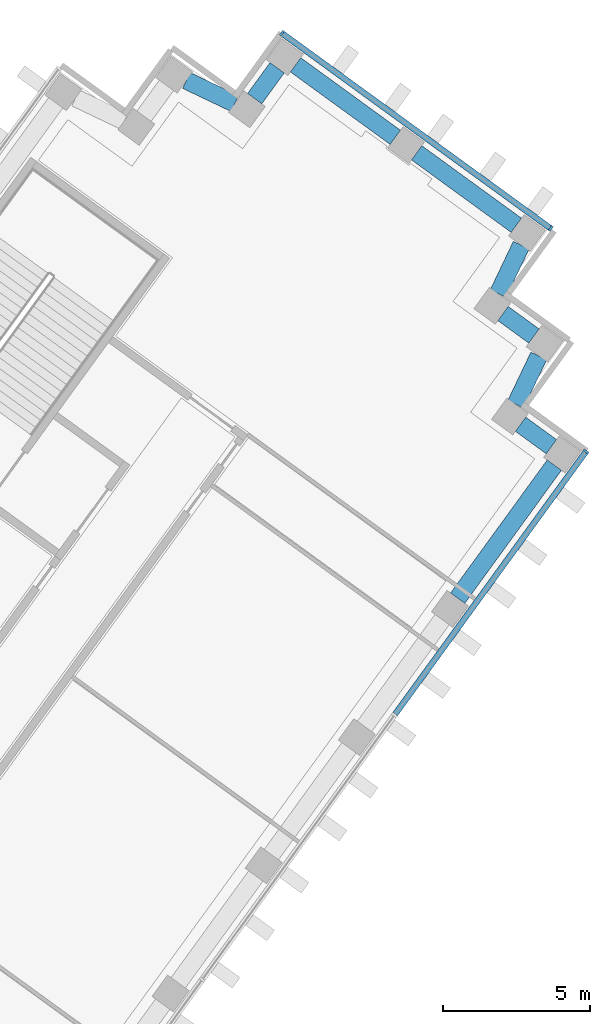
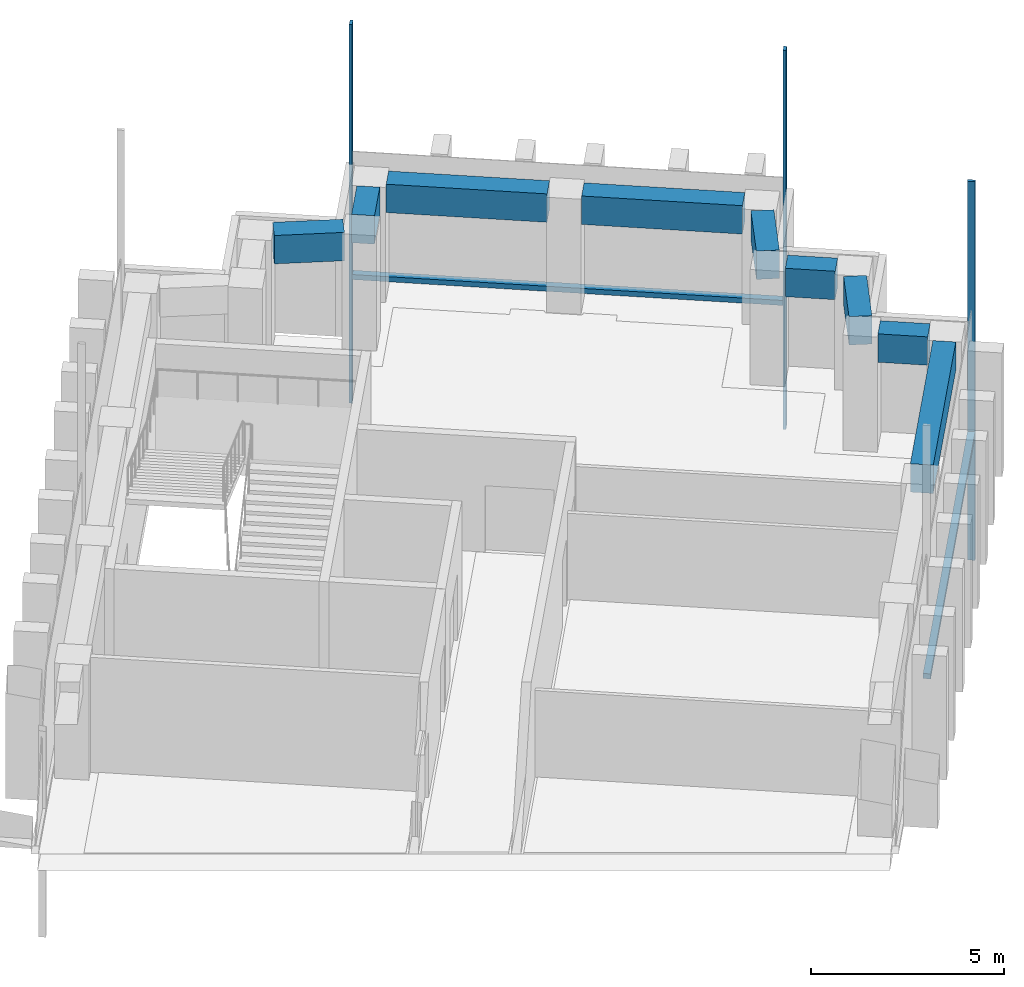
# One storey, part 7 of 18: 9 beams, 5 members, 2 elements without a shape of their own.
"""IFC4 building model written with IfcOpenShell, lengths in metres."""

import ifcopenshell
import ifcopenshell.guid

model = None  # the IFC model being written
_history = None  # IfcOwnerHistory: only IFC2X3 demands one
_inside = {}  # id of a spatial element -> (the spatial element, [elements in it])
_under = {}  # id of a project, library or spatial element -> (it, [spatial elements below it])
_declared = {}  # id of a project -> (the project, [libraries it declares])
_typed = {}  # id of a type object -> (the type object, [elements of that type])
_made_of = {}  # id of a material, layer set ... -> (it, [elements and type objects made of it])


def new_model(schema):
    """Start an empty IFC model of exactly this schema.

    Asked for "IFC4X3", IfcOpenShell would pick the latest addendum, in which some entities
    have other attributes; the version numbers below select the first issue.
    IFC2X3 requires an IfcOwnerHistory on every rooted entity: one is made here for all.
    """
    global model, _history
    if schema == "IFC4X3":
        model = ifcopenshell.file(schema_version=(4, 3, 0, 0))
    else:
        model = ifcopenshell.file(schema=schema)
    _inside.clear()
    _under.clear()
    _declared.clear()
    _typed.clear()
    _made_of.clear()
    _history = None
    if model.schema == "IFC2X3":
        org = make("IfcOrganization", Name="unknown")
        user = make(
            "IfcPersonAndOrganization",
            ThePerson=make("IfcPerson", FamilyName="unknown"),
            TheOrganization=org,
        )
        app = make(
            "IfcApplication",
            ApplicationDeveloper=org,
            Version="unknown",
            ApplicationFullName="unknown",
            ApplicationIdentifier="unknown",
        )
        _history = make(
            "IfcOwnerHistory",
            OwningUser=user,
            OwningApplication=app,
            ChangeAction="ADDED",
            CreationDate=0,
        )
    return model


def make(cls, **values):
    """One entity of the class cls with the attributes given. An attribute that is None is left unset."""
    return model.create_entity(
        cls, **{name: value for name, value in values.items() if value is not None}
    )


def rooted(cls, **values):
    """An entity with a GlobalId (a new one), such as an element, a storey or a relation."""
    return make(cls, GlobalId=ifcopenshell.guid.new(), OwnerHistory=_history, **values)


def si_unit(unit_type, name, prefix=None):
    """IfcSIUnit, for example si_unit("LENGTHUNIT", "METRE", prefix="MILLI")."""
    return make("IfcSIUnit", UnitType=unit_type, Prefix=prefix, Name=name)


def assignment(units):
    """IfcUnitAssignment: the units of a project."""
    return None if units is None else make("IfcUnitAssignment", Units=units)


def point(xyz):
    """IfcCartesianPoint."""
    return None if xyz is None else make("IfcCartesianPoint", Coordinates=xyz)


def direction(xyz):
    """IfcDirection."""
    return None if xyz is None else make("IfcDirection", DirectionRatios=xyz)


def frame(location, z_axis=None, x_axis=None):
    """IfcAxis2Placement3D, a coordinate frame: its origin and axes. An axis left out is left unset."""
    return make(
        "IfcAxis2Placement3D",
        Location=point(location),
        Axis=direction(z_axis),
        RefDirection=direction(x_axis),
    )


def frame_2d(location, x_axis=None):
    """IfcAxis2Placement2D, a coordinate frame in the plane: its origin and x axis."""
    return make(
        "IfcAxis2Placement2D", Location=point(location), RefDirection=direction(x_axis)
    )


def origin():
    """The frame at (0, 0, 0) with its axes left unset."""
    return frame((0.0, 0.0, 0.0))


def origin_2d():
    """The frame at (0, 0) in the plane with its x axis left unset."""
    return frame_2d((0.0, 0.0))


def place(relative_to, where):
    """IfcLocalPlacement: puts the frame where relative to a parent placement (None: the world)."""
    return make(
        "IfcLocalPlacement", PlacementRelTo=relative_to, RelativePlacement=where
    )


def context(
    kind, dimensions, precision=None, world=None, true_north=None, identifier=None
):
    """IfcGeometricRepresentationContext, for example the 3D "Model" context."""
    return make(
        "IfcGeometricRepresentationContext",
        ContextIdentifier=identifier,
        ContextType=kind,
        CoordinateSpaceDimension=dimensions,
        Precision=precision,
        WorldCoordinateSystem=world,
        TrueNorth=true_north,
    )


def subcontext(parent, identifier, kind, view, scale=None):
    """IfcGeometricRepresentationSubContext, for example "Body" below "Model"."""
    return make(
        "IfcGeometricRepresentationSubContext",
        ContextIdentifier=identifier,
        ContextType=kind,
        ParentContext=parent,
        TargetScale=scale,
        TargetView=view,
    )


def project(units=None, contexts=None):
    """IfcProject with its units and contexts."""
    return rooted(
        "IfcProject",
        Name="project",
        RepresentationContexts=contexts,
        UnitsInContext=assignment(units),
    )


def spatial(cls, under=None, at=None, **own):
    """A site, building, storey or space (cls), placed at a placement, below another one or the project."""
    s = rooted(cls, ObjectPlacement=at, **own)
    if under is not None:
        _under.setdefault(under.id(), (under, []))[1].append(s)
    return s


def profile(cls, at=None, kind="AREA", **sizes):
    """A parametric profile (cls). Its sizes go by their IFC names, for example OverallWidth=200.0."""
    return make(cls, ProfileType=kind, Position=at, **sizes)


def rectangle(**sizes):
    """IfcRectangleProfileDef."""
    return profile("IfcRectangleProfileDef", **sizes)


def extrude(swept, where, along, depth):
    """IfcExtrudedAreaSolid: the profile swept, set in the frame where, extruded along a direction by depth."""
    return make(
        "IfcExtrudedAreaSolid",
        SweptArea=swept,
        Position=where,
        ExtrudedDirection=direction(along),
        Depth=depth,
    )


def shape(context_of_items, identifier, shape_type, items):
    """IfcShapeRepresentation: the items that make up one representation, for example the "Body"."""
    return make(
        "IfcShapeRepresentation",
        ContextOfItems=context_of_items,
        RepresentationIdentifier=identifier,
        RepresentationType=shape_type,
        Items=items,
    )


def material(Name=None, Category=None):
    """IfcMaterial."""
    return make("IfcMaterial", Name=Name, Category=Category)


def material_profile(
    of_material, cross_section, Name=None, Category=None, Priority=None
):
    """IfcMaterialProfile: a cross section and its material."""
    return make(
        "IfcMaterialProfile",
        Name=Name,
        Material=of_material,
        Profile=cross_section,
        Priority=Priority,
        Category=Category,
    )


def profile_set(profiles, Name=None, composite=None):
    """IfcMaterialProfileSet."""
    return make(
        "IfcMaterialProfileSet",
        Name=Name,
        MaterialProfiles=profiles,
        CompositeProfile=composite,
    )


def made_of(thing, what):
    """Note that an element or type object is made of a material, layer set ...; save() writes the relation."""
    if what is not None:
        _made_of.setdefault(what.id(), (what, []))[1].append(thing)
    return thing


def type_object(cls, material=None, **own):
    """A type object (cls), such as IfcWallType, which elements share."""
    return made_of(rooted(cls, **own), material)


def element(
    cls,
    number,
    at=None,
    inside=None,
    cuts=None,
    type_object=None,
    material=None,
    context=None,
    identifier="Body",
    shape_type=None,
    held_by="IfcProductDefinitionShape",
    body=None,
    shapes=None,
    **own,
):
    """One element of the class cls, such as IfcWall. Its Tag is "e" and its number.

    at: its placement. inside: the storey or other place that contains it. cuts: it is an
    opening in that element (IfcRelVoidsElement). A single representation is given by context,
    identifier, shape_type and body (its items); several are given by shapes. held_by: the class
    of the entity that holds the representations. save() writes the other relations.
    """
    e = rooted(cls, Tag="e%d" % number, ObjectPlacement=at, **own)
    if body is not None:
        shapes = [shape(context, identifier, shape_type, body)]
    if shapes is not None:
        e.Representation = make(held_by, Representations=shapes)
    if inside is not None:
        _inside.setdefault(inside.id(), (inside, []))[1].append(e)
    if cuts is not None:
        rooted(
            "IfcRelVoidsElement", RelatingBuildingElement=cuts, RelatedOpeningElement=e
        )
    if type_object is not None:
        _typed.setdefault(type_object.id(), (type_object, []))[1].append(e)
    return made_of(e, material)


def aggregate(whole, parts):
    """IfcRelAggregates: a whole, such as a stair, and the parts it consists of."""
    return rooted("IfcRelAggregates", RelatingObject=whole, RelatedObjects=parts)


def save(model, path):
    """Write the relations noted so far, then the file.

    IfcRelAggregates (storeys below a building ...), IfcRelContainedInSpatialStructure (elements
    in a storey), IfcRelDefinesByType, IfcRelAssociatesMaterial and IfcRelDeclares: one each for
    every whole, place, type object, material and project.
    """
    for whole, parts in _under.values():
        aggregate(whole, parts)
    for where, things in _inside.values():
        rooted(
            "IfcRelContainedInSpatialStructure",
            RelatedElements=things,
            RelatingStructure=where,
        )
    for kind, things in _typed.values():
        rooted("IfcRelDefinesByType", RelatedObjects=things, RelatingType=kind)
    for what, things in _made_of.values():
        rooted("IfcRelAssociatesMaterial", RelatedObjects=things, RelatingMaterial=what)
    for by, libraries in _declared.values():
        rooted("IfcRelDeclares", RelatingContext=by, RelatedDefinitions=libraries)
    model.write(path)


model = new_model("IFC4")

# Units and contexts
model_context = context("Model", 3, precision=1e-05, world=origin(), true_north=direction((0.0, 1.0)))
body_context = subcontext(model_context, "Body", "Model", "MODEL_VIEW")
ifc_project = project(units=[si_unit("LENGTHUNIT", "METRE"), si_unit("AREAUNIT", "SQUARE_METRE"), si_unit("VOLUMEUNIT", "CUBIC_METRE"), si_unit("PLANEANGLEUNIT", "RADIAN"), si_unit("MASSUNIT", "GRAM", prefix="KILO")], contexts=[model_context])

# Site, building, storey
site_placement = place(None, origin())
site = spatial("IfcSite", under=ifc_project, at=site_placement, CompositionType="ELEMENT")
building_placement = place(site_placement, origin())
building = spatial("IfcBuilding", under=site, at=building_placement, Name="Quipu Civic Tower", CompositionType="ELEMENT")
storey_placement = place(building_placement, frame((0.0, 0.0, 71.0)))
storey = spatial("IfcBuildingStorey", under=building, at=storey_placement, Name="L16", CompositionType="ELEMENT", Elevation=71.0)

# Curtain wall, member
ifc_material_1 = material(Name="Insulated glass unit", Category="glass")
curtain_wall_type = type_object("IfcCurtainWallType", Name="Office curtain wall CW1", PredefinedType="NOTDEFINED", material=ifc_material_1)
curtain_wall_1_placement = place(storey_placement, origin())
curtain_wall_1 = element("IfcCurtainWall", 1, at=curtain_wall_1_placement, inside=storey, type_object=curtain_wall_type, Name="Office curtain wall CW1 L15 run 20", PredefinedType="NOTDEFINED")
ifc_material_2 = material(Name="Anodised aluminium", Category="aluminium")
ifc_material_profile_1 = material_profile(ifc_material_2, rectangle(XDim=0.199951171875, YDim=0.080078125, at=origin_2d()), Name="RECT 200x80")
ifc_profile_set_1 = profile_set([ifc_material_profile_1], Name="Anodised aluminium")
member_type_1 = type_object("IfcMemberType", Name="Mullion CW1", PredefinedType="MULLION", material=ifc_profile_set_1)
member_1_placement = place(storey_placement, frame((55.23046875, 29.606201171875, -3.919921875), z_axis=(0.0, 0.0, 1.0), x_axis=(-0.809016770908, 0.587785559869, 0.0)))
member_1 = element("IfcMember", 2, at=member_1_placement, type_object=member_type_1, Name="CW1 mullion 5", PredefinedType="MULLION", context=body_context, shape_type="SweptSolid", body=[
    extrude(rectangle(XDim=0.199951171875, YDim=0.080078125, at=origin_2d()), origin(), (0.0, 0.0, 1.0), 12.0),
])

# Curtain wall, members
curtain_wall_2_placement = place(storey_placement, origin())
curtain_wall_2 = element("IfcCurtainWall", 3, at=curtain_wall_2_placement, inside=storey, type_object=curtain_wall_type, Name="Office curtain wall CW1 L15 run 25", PredefinedType="NOTDEFINED")
member_2_placement = place(storey_placement, frame((54.027099609375, 37.204833984375, -3.919921875), z_axis=(0.0, 0.0, 1.0), x_axis=(-0.587782012621, -0.809019348124, 0.0)))
member_2 = element("IfcMember", 4, at=member_2_placement, type_object=member_type_1, Name="CW1 mullion 1", PredefinedType="MULLION", context=body_context, shape_type="SweptSolid", body=[
    extrude(rectangle(XDim=0.199951171875, YDim=0.080078125, at=origin_2d()), origin(), (0.0, 0.0, 1.0), 12.0),
])
member_3_placement = place(storey_placement, frame((44.869140625, 43.858642578125, -3.919921875), z_axis=(0.0, 0.0, 1.0), x_axis=(-0.587782012621, -0.809019348124, 0.0)))
member_3 = element("IfcMember", 5, at=member_3_placement, type_object=member_type_1, Name="CW1 mullion 2", PredefinedType="MULLION", context=body_context, shape_type="SweptSolid", body=[
    extrude(rectangle(XDim=0.199951171875, YDim=0.080078125, at=origin_2d()), origin(), (0.0, 0.0, 1.0), 12.0),
])

# Beams
ifc_material_3 = material(Name="Concrete C50/60", Category="concrete")
ifc_material_profile_2 = material_profile(ifc_material_3, rectangle(XDim=0.60009765625, YDim=0.89990234375, at=origin_2d()), Name="RC600x900")
ifc_profile_set_2 = profile_set([ifc_material_profile_2], Name="Concrete C50/60")
beam_type = type_object("IfcBeamType", Name="Spandrel beam RC 600x900 C50/60", PredefinedType="SPANDREL", material=ifc_profile_set_2)
beam_1_placement = place(storey_placement, frame((50.85693359375, 24.607666015625, 3.199951171875), z_axis=(0.587772657145, 0.809026145135, 0.0), x_axis=(-0.809026145135, 0.587772657145, 0.0)))
element("IfcBeam", 6, at=beam_1_placement, inside=storey, type_object=beam_type, Name="Spandrel beam L16 E-OUT-07 to T-Eo.0-E50", PredefinedType="SPANDREL", context=body_context, shape_type="SweptSolid", body=[
    extrude(rectangle(XDim=0.60009765625, YDim=0.89990234375, at=origin_2d()), origin(), (0.0, 0.0, 1.0), 5.603271484375),
])
beam_2_placement = place(storey_placement, frame((54.051025390625, 29.769775390625, 3.199951171875), z_axis=(-0.808549242423, 0.588428519514, 0.0), x_axis=(-0.588428519514, -0.808549242423, 0.0)))
element("IfcBeam", 7, at=beam_2_placement, inside=storey, type_object=beam_type, Name="Spandrel beam L16 T-Eo.0-E50 to T-Eo.1-E50", PredefinedType="SPANDREL", context=body_context, shape_type="SweptSolid", body=[
    extrude(rectangle(XDim=0.60009765625, YDim=0.89990234375, at=origin_2d()), origin(), (0.0, 0.0, 1.0), 1.2998046875),
])
beam_3_placement = place(storey_placement, frame((52.83349609375, 31.21240234375, 3.199951171875), z_axis=(0.431446050156, 0.902138739776, 0.0), x_axis=(-0.902138739776, 0.431446050156, 0.0)))
element("IfcBeam", 8, at=beam_3_placement, inside=storey, type_object=beam_type, Name="Spandrel beam L16 T-Eo.1-E50 to T-Eo.2-E50", PredefinedType="SPANDREL", context=body_context, shape_type="SweptSolid", body=[
    extrude(rectangle(XDim=0.60009765625, YDim=0.89990234375, at=origin_2d()), origin(), (0.0, 0.0, 1.0), 1.828857421875),
])
beam_4_placement = place(storey_placement, frame((53.4560546875, 33.539794921875, 3.199951171875), z_axis=(-0.808509099783, 0.588483674853, 0.0), x_axis=(-0.588483674853, -0.808509099783, 0.0)))
element("IfcBeam", 9, at=beam_4_placement, inside=storey, type_object=beam_type, Name="Spandrel beam L16 T-Eo.2-E50 to T-Eo.3-E50", PredefinedType="SPANDREL", context=body_context, shape_type="SweptSolid", body=[
    extrude(rectangle(XDim=0.60009765625, YDim=0.89990234375, at=origin_2d()), origin(), (0.0, 0.0, 1.0), 1.302734375),
])
beam_5_placement = place(storey_placement, frame((52.23583984375, 34.984375, 3.199951171875), z_axis=(0.430166558323, 0.902749540072, 0.0), x_axis=(-0.902749540072, 0.430166558323, 0.0)))
element("IfcBeam", 10, at=beam_5_placement, inside=storey, type_object=beam_type, Name="Spandrel beam L16 T-Eo.3-E50 to T-Eo.4-E50", PredefinedType="SPANDREL", context=body_context, shape_type="SweptSolid", body=[
    extrude(rectangle(XDim=0.60009765625, YDim=0.89990234375, at=origin_2d()), origin(), (0.0, 0.0, 1.0), 1.830322265625),
])
beam_6_placement = place(storey_placement, frame((52.85595703125, 37.314453125, 3.199951171875), z_axis=(-0.808959834407, 0.587863918196, 0.0), x_axis=(-0.587863918196, -0.808959834407, 0.0)))
element("IfcBeam", 11, at=beam_6_placement, inside=storey, type_object=beam_type, Name="Spandrel beam L16 T-Eo.4-E50 to TIP-E-01-E50", PredefinedType="SPANDREL", context=body_context, shape_type="SweptSolid", body=[
    extrude(rectangle(XDim=0.60009765625, YDim=0.89990234375, at=origin_2d()), origin(), (0.0, 0.0, 1.0), 4.1982421875),
])
beam_7_placement = place(storey_placement, frame((48.731689453125, 40.3115234375, 3.199951171875), z_axis=(-0.808969789945, 0.58785021813, 0.0), x_axis=(-0.58785021813, -0.808969789945, 0.0)))
element("IfcBeam", 12, at=beam_7_placement, inside=storey, type_object=beam_type, Name="Spandrel beam L16 TIP-E-01-E50 to T-Ei.0-E50", PredefinedType="SPANDREL", context=body_context, shape_type="SweptSolid", body=[
    extrude(rectangle(XDim=0.60009765625, YDim=0.89990234375, at=origin_2d()), origin(), (0.0, 0.0, 1.0), 4.199951171875),
])
beam_8_placement = place(storey_placement, frame((44.705322265625, 42.68115234375, 3.199951171875), z_axis=(-0.588383572423, -0.808581951136, 0.0), x_axis=(0.808581951136, -0.588383572423, 0.0)))
element("IfcBeam", 13, at=beam_8_placement, inside=storey, type_object=beam_type, Name="Spandrel beam L16 T-Ei.0-E50 to T-Ei.1-E50", PredefinedType="SPANDREL", context=body_context, shape_type="SweptSolid", body=[
    extrude(rectangle(XDim=0.60009765625, YDim=0.89990234375, at=origin_2d()), origin(), (0.0, 0.0, 1.0), 1.3017578125),
])
beam_9_placement = place(storey_placement, frame((43.261474609375, 41.4619140625, 3.199951171875), z_axis=(-0.902613270121, 0.430452418511, 0.0), x_axis=(-0.430452418511, -0.902613270121, 0.0)))
element("IfcBeam", 14, at=beam_9_placement, inside=storey, type_object=beam_type, Name="Spandrel beam L16 T-Ei.1-E50 to T-Ei.2-E50", PredefinedType="SPANDREL", context=body_context, shape_type="SweptSolid", body=[
    extrude(rectangle(XDim=0.60009765625, YDim=0.89990234375, at=origin_2d()), origin(), (0.0, 0.0, 1.0), 1.826416015625),
])

# Member
ifc_material_4 = material(Name="Anodised aluminium", Category="aluminium")
ifc_material_profile_3 = material_profile(ifc_material_4, rectangle(XDim=0.199951171875, YDim=0.159912109375, at=origin_2d()), Name="RECT 200x160")
ifc_profile_set_3 = profile_set([ifc_material_profile_3], Name="Anodised aluminium")
member_type_2 = type_object("IfcMemberType", Name="Transom CW1", PredefinedType="USERDEFINED", material=ifc_profile_set_3)
member_4_placement = place(storey_placement, frame((48.72802734375, 20.65625, 0.080078125), z_axis=(0.587779179422, 0.809021406539, 0.0), x_axis=(-0.809021406539, 0.587779179422, 0.0)))
member_4 = element("IfcMember", 15, at=member_4_placement, type_object=member_type_2, Name="CW1 transom 4.2", ObjectType="TRANSOM", PredefinedType="USERDEFINED", context=body_context, shape_type="SweptSolid", body=[
    extrude(rectangle(XDim=0.199951171875, YDim=0.159912109375, at=origin_2d()), origin(), (0.0, 0.0, 1.0), 11.02294921875),
])

aggregate(curtain_wall_1, [member_1, member_4])

member_5_placement = place(storey_placement, frame((53.994873046875, 37.228515625, 0.080078125), z_axis=(-0.809032792449, 0.587763507495, 0.0), x_axis=(-0.587763507495, -0.809032792449, 0.0)))
member_5 = element("IfcMember", 16, at=member_5_placement, type_object=member_type_2, Name="CW1 transom 1.2", ObjectType="TRANSOM", PredefinedType="USERDEFINED", context=body_context, shape_type="SweptSolid", body=[
    extrude(rectangle(XDim=0.199951171875, YDim=0.159912109375, at=origin_2d()), origin(), (0.0, 0.0, 1.0), 11.239990234375),
])

aggregate(curtain_wall_2, [member_2, member_3, member_5])

save(model, "model.ifc")
